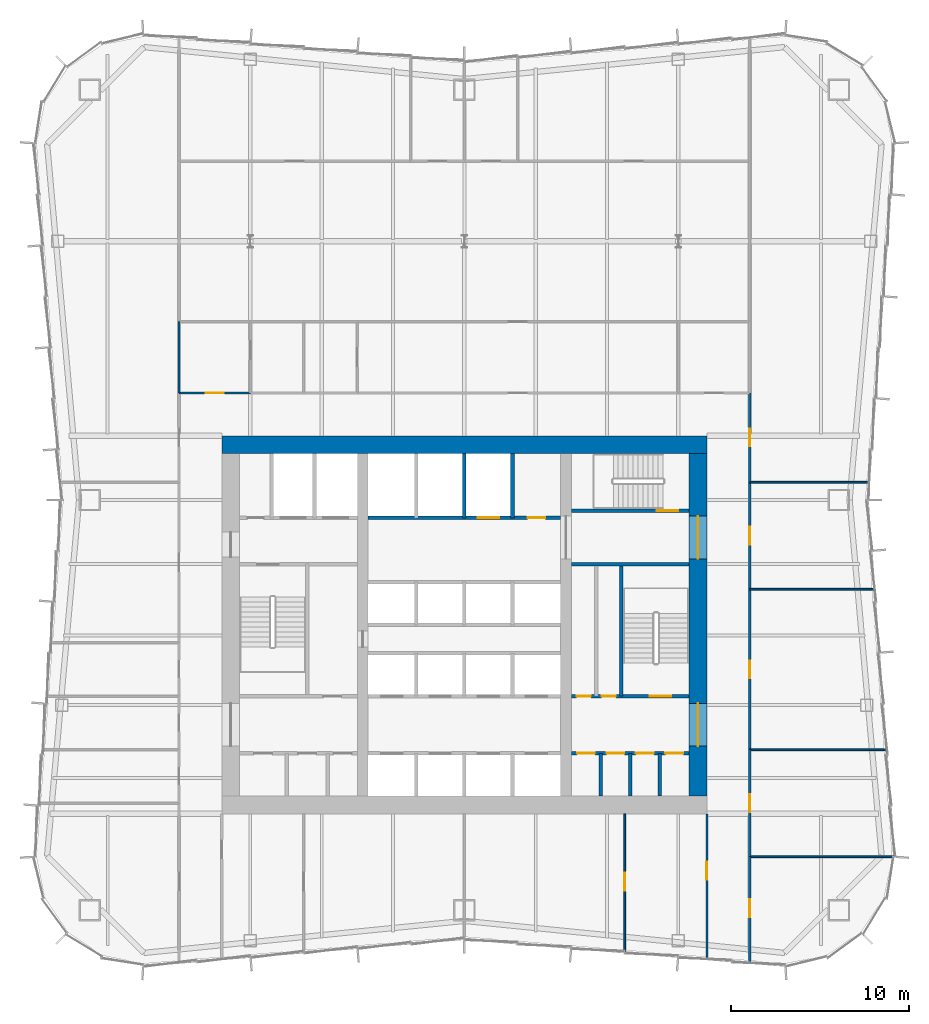
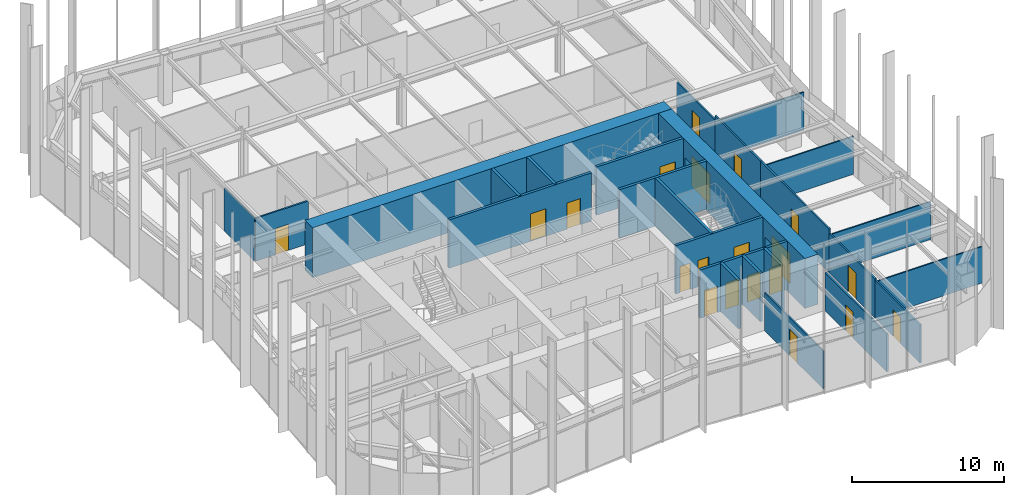
# One storey, part 11 of 13: 26 walls, 20 doors, 20 openings.
"""IFC4 building model written with IfcOpenShell, lengths in metres."""

from ifc_helpers import new_model, si_unit, direction, frame, frame_2d, origin, place, context, subcontext, project, spatial, rectangle, extrude, material, layer, layer_set, type_object, element, fill, save


model = new_model("IFC4")

# Units and contexts
model_context = context("Model", 3, precision=1e-05, world=origin(), true_north=direction((0.0, 1.0)))
body_context = subcontext(model_context, "Body", "Model", "MODEL_VIEW")
ifc_project = project(units=[si_unit("LENGTHUNIT", "METRE"), si_unit("AREAUNIT", "SQUARE_METRE"), si_unit("VOLUMEUNIT", "CUBIC_METRE"), si_unit("PLANEANGLEUNIT", "RADIAN"), si_unit("MASSUNIT", "GRAM", prefix="KILO")], contexts=[model_context])

# Site, building, storey
site_placement = place(None, origin())
site = spatial("IfcSite", under=ifc_project, at=site_placement, CompositionType="ELEMENT")
building_placement = place(site_placement, origin())
building = spatial("IfcBuilding", under=site, at=building_placement, Name="Verdant Reach Tower", CompositionType="ELEMENT")
storey_placement = place(building_placement, frame((0.0, 0.0, 126.0)))
storey = spatial("IfcBuildingStorey", under=building, at=storey_placement, Name="L28", CompositionType="ELEMENT", Elevation=126.0)

# Wall, openings, doors
ifc_material_1 = material(Name="Gypsum board on steel studs", Category="steel")
ifc_layer_1 = layer(ifc_material_1, 0.199951171875)
ifc_layer_set_1 = layer_set([ifc_layer_1], Name="CO-WALL-ROOM")
wall_type_1 = type_object("IfcWallType", Name="CO-WALL-ROOM", PredefinedType="PARTITIONING", material=ifc_layer_set_1)
wall_1_placement = place(storey_placement, frame((6.0, 20.800048828125, 0.0), z_axis=(0.0, 0.0, 1.0), x_axis=(1.0, 0.0, 0.0)))
wall_1 = element("IfcWall", 1, at=wall_1_placement, inside=storey, type_object=wall_type_1, Name="Core partition, L28", PredefinedType="PARTITIONING", context=body_context, shape_type="SweptSolid", body=[
    extrude(rectangle(XDim=6.60009765625, YDim=0.199951171875, at=frame_2d((3.300048828125, 0.0))), origin(), (0.0, 0.0, 1.0), 3.8701171875),
])
opening_1_placement = place(wall_1_placement, frame((0.324951171875, 0.0, 0.0)))
opening_1 = element("IfcOpeningElement", 2, at=opening_1_placement, cuts=wall_1, Name="Opening CD", PredefinedType="OPENING", context=body_context, shape_type="SweptSolid", body=[
    extrude(rectangle(XDim=1.0, YDim=2.10009765625, at=frame_2d((0.5, 1.050048828125))), frame((0.0, 0.10986328125, 0.0), z_axis=(0.0, -1.0, 0.0), x_axis=(1.0, 0.0, 0.0)), (0.0, 0.0, 1.0), 0.219970703125),
])
opening_2_placement = place(wall_1_placement, frame((1.97509765625, 0.0, 0.0)))
opening_2 = element("IfcOpeningElement", 3, at=opening_2_placement, cuts=wall_1, Name="Opening CD", PredefinedType="OPENING", context=body_context, shape_type="SweptSolid", body=[
    extrude(rectangle(XDim=1.0, YDim=2.10009765625, at=frame_2d((0.5, 1.050048828125))), frame((0.0, 0.10986328125, 0.0), z_axis=(0.0, -1.0, 0.0), x_axis=(1.0, 0.0, 0.0)), (0.0, 0.0, 1.0), 0.219970703125),
])
opening_3_placement = place(wall_1_placement, frame((3.625, 0.0, 0.0)))
opening_3 = element("IfcOpeningElement", 4, at=opening_3_placement, cuts=wall_1, Name="Opening CD", PredefinedType="OPENING", context=body_context, shape_type="SweptSolid", body=[
    extrude(rectangle(XDim=1.0, YDim=2.10009765625, at=frame_2d((0.5, 1.050048828125))), frame((0.0, 0.10986328125, 0.0), z_axis=(0.0, -1.0, 0.0), x_axis=(1.0, 0.0, 0.0)), (0.0, 0.0, 1.0), 0.219970703125),
])
opening_4_placement = place(wall_1_placement, frame((5.27490234375, 0.0, 0.0)))
opening_4 = element("IfcOpeningElement", 5, at=opening_4_placement, cuts=wall_1, Name="Opening CD", PredefinedType="OPENING", context=body_context, shape_type="SweptSolid", body=[
    extrude(rectangle(XDim=1.0, YDim=2.10009765625, at=frame_2d((0.5, 1.050048828125))), frame((0.0, 0.10986328125, 0.0), z_axis=(0.0, -1.0, 0.0), x_axis=(1.0, 0.0, 0.0)), (0.0, 0.0, 1.0), 0.219970703125),
])
ifc_material_2 = material(Name="Timber", Category="wood")
door_type_1 = type_object("IfcDoorType", Name="CO-DOOR-ROOM", OperationType="NOTDEFINED", PredefinedType="DOOR", material=ifc_material_2)
door_1_placement = place(opening_1_placement, origin())
door_1 = element("IfcDoor", 6, at=door_1_placement, inside=storey, type_object=door_type_1, Name="Core room door, L28", OperationType="SINGLE_SWING_LEFT", OverallHeight=2.10009765625, OverallWidth=1.0, PredefinedType="DOOR", context=body_context, shape_type="SweptSolid", body=[
    extrude(rectangle(XDim=1.0, YDim=2.10009765625, at=frame_2d((0.5, 1.050048828125))), frame((0.0, 0.02490234375, 0.0), z_axis=(0.0, -1.0, 0.0), x_axis=(1.0, 0.0, 0.0)), (0.0, 0.0, 1.0), 0.050048828125),
])
fill(opening_1, door_1)
door_2_placement = place(opening_2_placement, origin())
door_2 = element("IfcDoor", 7, at=door_2_placement, inside=storey, type_object=door_type_1, Name="Core room door, L28", OperationType="SINGLE_SWING_LEFT", OverallHeight=2.10009765625, OverallWidth=1.0, PredefinedType="DOOR", context=body_context, shape_type="SweptSolid", body=[
    extrude(rectangle(XDim=1.0, YDim=2.10009765625, at=frame_2d((0.5, 1.050048828125))), frame((0.0, 0.02490234375, 0.0), z_axis=(0.0, -1.0, 0.0), x_axis=(1.0, 0.0, 0.0)), (0.0, 0.0, 1.0), 0.050048828125),
])
fill(opening_2, door_2)
door_3_placement = place(opening_3_placement, origin())
door_3 = element("IfcDoor", 8, at=door_3_placement, inside=storey, type_object=door_type_1, Name="Core room door, L28", OperationType="SINGLE_SWING_RIGHT", OverallHeight=2.10009765625, OverallWidth=1.0, PredefinedType="DOOR", context=body_context, shape_type="SweptSolid", body=[
    extrude(rectangle(XDim=1.0, YDim=2.10009765625, at=frame_2d((0.5, 1.050048828125))), frame((0.0, 0.02490234375, 0.0), z_axis=(0.0, -1.0, 0.0), x_axis=(1.0, 0.0, 0.0)), (0.0, 0.0, 1.0), 0.050048828125),
])
fill(opening_3, door_3)
door_4_placement = place(opening_4_placement, origin())
door_4 = element("IfcDoor", 9, at=door_4_placement, inside=storey, type_object=door_type_1, Name="Core room door, L28", OperationType="SINGLE_SWING_RIGHT", OverallHeight=2.10009765625, OverallWidth=1.0, PredefinedType="DOOR", context=body_context, shape_type="SweptSolid", body=[
    extrude(rectangle(XDim=1.0, YDim=2.10009765625, at=frame_2d((0.5, 1.050048828125))), frame((0.0, 0.02490234375, 0.0), z_axis=(0.0, -1.0, 0.0), x_axis=(1.0, 0.0, 0.0)), (0.0, 0.0, 1.0), 0.050048828125),
])
fill(opening_4, door_4)

# Walls
for number, where, z_axis, x_axis, name in (
    (10, (7.64990234375, 18.39990234375, 0.0), (0.0, 0.0, 1.0), (0.0, 1.0, 0.0), "Core partition, L28"),
    (11, (9.300048828125, 18.39990234375, 0.0), (0.0, 0.0, 1.0), (0.0, 1.0, 0.0), "Core partition, L28"),
    (12, (10.949951171875, 18.39990234375, 0.0), (0.0, 0.0, 1.0), (0.0, 1.0, 0.0), "Core partition, L28"),
):
    element("IfcWall", number, at=place(storey_placement, frame(where, z_axis=z_axis, x_axis=x_axis)), inside=storey, type_object=wall_type_1, Name=name, PredefinedType="PARTITIONING", context=body_context, shape_type="SweptSolid", body=[
        extrude(rectangle(XDim=2.400146484375, YDim=0.199951171875, at=frame_2d((1.2001953125, 0.0))), origin(), (0.0, 0.0, 1.0), 3.8701171875),
    ])

# Wall, openings, doors
ifc_material_3 = material(Name="Concrete C40/50", Category="concrete")
ifc_layer_2 = layer(ifc_material_3, 0.199951171875)
ifc_layer_set_2 = layer_set([ifc_layer_2], Name="CO-WALL-SHAFT")
wall_type_2 = type_object("IfcWallType", Name="CO-WALL-SHAFT", PredefinedType="PARTITIONING", material=ifc_layer_set_2)
wall_2_placement = place(storey_placement, frame((-5.39990234375, 34.0, 0.0), z_axis=(0.0, 0.0, 1.0), x_axis=(1.0, 0.0, 0.0)))
wall_2 = element("IfcWall", 13, at=wall_2_placement, inside=storey, type_object=wall_type_2, Name="Lift shaft wall, L28", PredefinedType="PARTITIONING", context=body_context, shape_type="SweptSolid", body=[
    extrude(rectangle(XDim=10.7998046875, YDim=0.199951171875, at=frame_2d((5.39990234375, 0.0))), origin(), (0.0, 0.0, 1.0), 3.8701171875),
])
opening_5_placement = place(wall_2_placement, frame((6.14990234375, 0.0, 0.0)))
opening_5 = element("IfcOpeningElement", 14, at=opening_5_placement, cuts=wall_2, Name="Opening LD-SL1", PredefinedType="OPENING", context=body_context, shape_type="SweptSolid", body=[
    extrude(rectangle(XDim=1.199951171875, YDim=2.199951171875, at=frame_2d((0.60009765625, 1.10009765625))), frame((0.0, 0.10986328125, 0.0), z_axis=(0.0, -1.0, 0.0), x_axis=(1.0, 0.0, 0.0)), (0.0, 0.0, 1.0), 0.219970703125),
])
opening_6_placement = place(wall_2_placement, frame((8.949951171875, 0.0, 0.0)))
opening_6 = element("IfcOpeningElement", 15, at=opening_6_placement, cuts=wall_2, Name="Opening CD", PredefinedType="OPENING", context=body_context, shape_type="SweptSolid", body=[
    extrude(rectangle(XDim=1.0, YDim=2.10009765625, at=frame_2d((0.5, 1.050048828125))), frame((0.0, 0.10986328125, 0.0), z_axis=(0.0, -1.0, 0.0), x_axis=(1.0, 0.0, 0.0)), (0.0, 0.0, 1.0), 0.219970703125),
])
ifc_material_4 = material(Name="Stainless steel", Category="steel")
door_type_2 = type_object("IfcDoorType", Name="CO-DOOR-LANDING", OperationType="SLIDING_TO_LEFT", PredefinedType="DOOR", material=ifc_material_4)
door_5_placement = place(opening_5_placement, origin())
door_5 = element("IfcDoor", 16, at=door_5_placement, inside=storey, type_object=door_type_2, Name="Landing door SL1, L28", OperationType="SLIDING_TO_LEFT", OverallHeight=2.199951171875, OverallWidth=1.199951171875, PredefinedType="DOOR", context=body_context, shape_type="SweptSolid", body=[
    extrude(rectangle(XDim=1.199951171875, YDim=2.199951171875, at=frame_2d((0.60009765625, 1.10009765625))), frame((0.0, 0.02490234375, 0.0), z_axis=(0.0, -1.0, 0.0), x_axis=(1.0, 0.0, 0.0)), (0.0, 0.0, 1.0), 0.050048828125),
])
fill(opening_5, door_5)
door_6_placement = place(opening_6_placement, origin())
door_6 = element("IfcDoor", 17, at=door_6_placement, inside=storey, type_object=door_type_1, Name="Core room door, L28", OperationType="SINGLE_SWING_LEFT", OverallHeight=2.10009765625, OverallWidth=1.0, PredefinedType="DOOR", context=body_context, shape_type="SweptSolid", body=[
    extrude(rectangle(XDim=1.0, YDim=2.10009765625, at=frame_2d((0.5, 1.050048828125))), frame((0.0, 0.02490234375, 0.0), z_axis=(0.0, -1.0, 0.0), x_axis=(1.0, 0.0, 0.0)), (0.0, 0.0, 1.0), 0.050048828125),
])
fill(opening_6, door_6)

# Walls
for number, where, z_axis, x_axis, name in (
    (18, (0.0, 34.0, 0.0), (0.0, 0.0, 1.0), (0.0, 1.0, 0.0), "Lift shaft wall, L28"),
    (19, (2.699951171875, 34.0, 0.0), (0.0, 0.0, 1.0), (0.0, 1.0, 0.0), "Lift shaft wall, L28"),
):
    element("IfcWall", number, at=place(storey_placement, frame(where, z_axis=z_axis, x_axis=x_axis)), inside=storey, type_object=wall_type_2, Name=name, PredefinedType="PARTITIONING", context=body_context, shape_type="SweptSolid", body=[
        extrude(rectangle(XDim=3.60009765625, YDim=0.199951171875, at=frame_2d((1.800048828125, 0.0))), origin(), (0.0, 0.0, 1.0), 3.8701171875),
    ])

# Wall, openings, doors
ifc_layer_3 = layer(ifc_material_3, 0.199951171875)
ifc_layer_set_3 = layer_set([ifc_layer_3], Name="CO-WALL-STAIR")
wall_type_3 = type_object("IfcWallType", Name="CO-WALL-STAIR", PredefinedType="PARTITIONING", material=ifc_layer_set_3)
wall_3_placement = place(storey_placement, frame((6.0, 24.0, 0.0), z_axis=(0.0, 0.0, 1.0), x_axis=(1.0, 0.0, 0.0)))
wall_3 = element("IfcWall", 20, at=wall_3_placement, inside=storey, type_object=wall_type_3, Name="Stair enclosure wall, L28", PredefinedType="PARTITIONING", context=body_context, shape_type="SweptSolid", body=[
    extrude(rectangle(XDim=6.60009765625, YDim=0.199951171875, at=frame_2d((3.300048828125, 0.0))), origin(), (0.0, 0.0, 1.0), 3.8701171875),
])
opening_7_placement = place(wall_3_placement, frame((0.300048828125, 0.0, 0.0)))
opening_7 = element("IfcOpeningElement", 21, at=opening_7_placement, cuts=wall_3, Name="Opening CDN", PredefinedType="OPENING", context=body_context, shape_type="SweptSolid", body=[
    extrude(rectangle(XDim=0.800048828125, YDim=2.10009765625, at=frame_2d((0.39990234375, 1.050048828125))), frame((0.0, 0.10986328125, 0.0), z_axis=(0.0, -1.0, 0.0), x_axis=(1.0, 0.0, 0.0)), (0.0, 0.0, 1.0), 0.219970703125),
])
opening_8_placement = place(wall_3_placement, frame((1.699951171875, 0.0, 0.0)))
opening_8 = element("IfcOpeningElement", 22, at=opening_8_placement, cuts=wall_3, Name="Opening CDN", PredefinedType="OPENING", context=body_context, shape_type="SweptSolid", body=[
    extrude(rectangle(XDim=0.800048828125, YDim=2.10009765625, at=frame_2d((0.39990234375, 1.050048828125))), frame((0.0, 0.10986328125, 0.0), z_axis=(0.0, -1.0, 0.0), x_axis=(1.0, 0.0, 0.0)), (0.0, 0.0, 1.0), 0.219970703125),
])
opening_9_placement = place(wall_3_placement, frame((4.39990234375, 0.0, 0.0)))
opening_9 = element("IfcOpeningElement", 23, at=opening_9_placement, cuts=wall_3, Name="Opening SD", PredefinedType="OPENING", context=body_context, shape_type="SweptSolid", body=[
    extrude(rectangle(XDim=1.199951171875, YDim=2.199951171875, at=frame_2d((0.60009765625, 1.10009765625))), frame((0.0, 0.10986328125, 0.0), z_axis=(0.0, -1.0, 0.0), x_axis=(1.0, 0.0, 0.0)), (0.0, 0.0, 1.0), 0.219970703125),
])
door_type_3 = type_object("IfcDoorType", Name="CO-DOOR-ROOM-NARROW", OperationType="NOTDEFINED", PredefinedType="DOOR", material=ifc_material_2)
door_7_placement = place(opening_7_placement, origin())
door_7 = element("IfcDoor", 24, at=door_7_placement, inside=storey, type_object=door_type_3, Name="Core room door, L28", OperationType="SINGLE_SWING_LEFT", OverallHeight=2.10009765625, OverallWidth=0.800048828125, PredefinedType="DOOR", context=body_context, shape_type="SweptSolid", body=[
    extrude(rectangle(XDim=0.800048828125, YDim=2.10009765625, at=frame_2d((0.39990234375, 1.050048828125))), frame((0.0, 0.02490234375, 0.0), z_axis=(0.0, -1.0, 0.0), x_axis=(1.0, 0.0, 0.0)), (0.0, 0.0, 1.0), 0.050048828125),
])
fill(opening_7, door_7)
door_8_placement = place(opening_8_placement, origin())
door_8 = element("IfcDoor", 25, at=door_8_placement, inside=storey, type_object=door_type_3, Name="Core room door, L28", OperationType="SINGLE_SWING_RIGHT", OverallHeight=2.10009765625, OverallWidth=0.800048828125, PredefinedType="DOOR", context=body_context, shape_type="SweptSolid", body=[
    extrude(rectangle(XDim=0.800048828125, YDim=2.10009765625, at=frame_2d((0.39990234375, 1.050048828125))), frame((0.0, 0.02490234375, 0.0), z_axis=(0.0, -1.0, 0.0), x_axis=(1.0, 0.0, 0.0)), (0.0, 0.0, 1.0), 0.050048828125),
])
fill(opening_8, door_8)
ifc_material_5 = material(Name="Steel", Category="steel")
door_type_4 = type_object("IfcDoorType", Name="CO-DOOR-STAIR", OperationType="NOTDEFINED", PredefinedType="DOOR", material=ifc_material_5)
door_9_placement = place(opening_9_placement, origin())
door_9 = element("IfcDoor", 26, at=door_9_placement, inside=storey, type_object=door_type_4, Name="Stair door, L28", OperationType="SINGLE_SWING_LEFT", OverallHeight=2.199951171875, OverallWidth=1.199951171875, PredefinedType="DOOR", context=body_context, shape_type="SweptSolid", body=[
    extrude(rectangle(XDim=1.199951171875, YDim=2.199951171875, at=frame_2d((0.60009765625, 1.10009765625))), frame((0.0, 0.02490234375, 0.0), z_axis=(0.0, -1.0, 0.0), x_axis=(1.0, 0.0, 0.0)), (0.0, 0.0, 1.0), 0.050048828125),
])
fill(opening_9, door_9)

# Wall
wall_4_placement = place(storey_placement, frame((6.0, 31.39990234375, 0.0), z_axis=(0.0, 0.0, 1.0), x_axis=(1.0, 0.0, 0.0)))
element("IfcWall", 27, at=wall_4_placement, inside=storey, type_object=wall_type_3, Name="Stair enclosure wall, L28", PredefinedType="PARTITIONING", context=body_context, shape_type="SweptSolid", body=[
    extrude(rectangle(XDim=6.60009765625, YDim=0.199951171875, at=frame_2d((3.300048828125, 0.0))), origin(), (0.0, 0.0, 1.0), 3.8701171875),
])

# Wall, opening, door
wall_5_placement = place(storey_placement, frame((6.0, 34.39990234375, 0.0), z_axis=(0.0, 0.0, 1.0), x_axis=(1.0, 0.0, 0.0)))
wall_5 = element("IfcWall", 28, at=wall_5_placement, inside=storey, type_object=wall_type_3, Name="Stair enclosure wall, L28", PredefinedType="PARTITIONING", context=body_context, shape_type="SweptSolid", body=[
    extrude(rectangle(XDim=6.60009765625, YDim=0.199951171875, at=frame_2d((3.300048828125, 0.0))), origin(), (0.0, 0.0, 1.0), 3.8701171875),
])
opening_10_placement = place(wall_5_placement, frame((4.800048828125, 0.0, 0.0)))
opening_10 = element("IfcOpeningElement", 29, at=opening_10_placement, cuts=wall_5, Name="Opening SD", PredefinedType="OPENING", context=body_context, shape_type="SweptSolid", body=[
    extrude(rectangle(XDim=1.199951171875, YDim=2.199951171875, at=frame_2d((0.60009765625, 1.10009765625))), frame((0.0, 0.10986328125, 0.0), z_axis=(0.0, -1.0, 0.0), x_axis=(1.0, 0.0, 0.0)), (0.0, 0.0, 1.0), 0.219970703125),
])
door_10_placement = place(opening_10_placement, origin())
door_10 = element("IfcDoor", 30, at=door_10_placement, inside=storey, type_object=door_type_4, Name="Stair door, L28", OperationType="SINGLE_SWING_RIGHT", OverallHeight=2.199951171875, OverallWidth=1.199951171875, PredefinedType="DOOR", context=body_context, shape_type="SweptSolid", body=[
    extrude(rectangle(XDim=1.199951171875, YDim=2.199951171875, at=frame_2d((0.60009765625, 1.10009765625))), frame((0.0, 0.02490234375, 0.0), z_axis=(0.0, -1.0, 0.0), x_axis=(1.0, 0.0, 0.0)), (0.0, 0.0, 1.0), 0.050048828125),
])
fill(opening_10, door_10)

# Walls
wall_6_placement = place(storey_placement, frame((8.800048828125, 24.0, 0.0), z_axis=(0.0, 0.0, 1.0), x_axis=(0.0, 1.0, 0.0)))
element("IfcWall", 31, at=wall_6_placement, inside=storey, type_object=wall_type_3, Name="Stair enclosure wall, L28", PredefinedType="PARTITIONING", context=body_context, shape_type="SweptSolid", body=[
    extrude(rectangle(XDim=7.39990234375, YDim=0.199951171875, at=frame_2d((3.699951171875, 0.0))), origin(), (0.0, 0.0, 1.0), 3.8701171875),
])
ifc_layer_4 = layer(ifc_material_1, 0.10009765625)
ifc_layer_set_4 = layer_set([ifc_layer_4], Name="FL-W1 Partition 100")
wall_type_4 = type_object("IfcWallType", Name="FL-W1 Partition 100", PredefinedType="PARTITIONING", material=ifc_layer_set_4)
wall_7_placement = place(storey_placement, frame((-16.0, 41.0, 0.0), z_axis=(0.0, 0.0, 1.0), x_axis=(0.0, 1.0, 0.0)))
element("IfcWall", 32, at=wall_7_placement, inside=storey, type_object=wall_type_4, Name="Partition 28.24", PredefinedType="PARTITIONING", context=body_context, shape_type="SweptSolid", body=[
    extrude(rectangle(XDim=4.0, YDim=0.10009765625, at=frame_2d((2.0, 0.0))), origin(), (0.0, 0.0, 1.0), 3.43994140625),
])
wall_8_placement = place(storey_placement, frame((24.080078125, 15.0, 0.0), z_axis=(0.0, 0.0, 1.0), x_axis=(-1.0, 0.0, 0.0)))
element("IfcWall", 33, at=wall_8_placement, inside=storey, type_object=wall_type_4, Name="Partition 28.27", PredefinedType="PARTITIONING", context=body_context, shape_type="SweptSolid", body=[
    extrude(rectangle(XDim=8.080078125, YDim=0.10009765625, at=frame_2d((4.0400390625, 0.0))), origin(), (0.0, 0.0, 1.0), 2.929931640625),
])
wall_9_placement = place(storey_placement, frame((23.6298828125, 21.0, 0.0), z_axis=(0.0, 0.0, 1.0), x_axis=(-1.0, 0.0, 0.0)))
element("IfcWall", 34, at=wall_9_placement, inside=storey, type_object=wall_type_4, Name="Partition 28.28", PredefinedType="PARTITIONING", context=body_context, shape_type="SweptSolid", body=[
    extrude(rectangle(XDim=7.6298828125, YDim=0.10009765625, at=frame_2d((3.81494140625, 0.0))), origin(), (0.0, 0.0, 1.0), 3.0400390625),
])
wall_10_placement = place(storey_placement, frame((22.955078125, 30.0, 0.0), z_axis=(0.0, 0.0, 1.0), x_axis=(-1.0, 0.0, 0.0)))
element("IfcWall", 35, at=wall_10_placement, inside=storey, type_object=wall_type_4, Name="Partition 28.29", PredefinedType="PARTITIONING", context=body_context, shape_type="SweptSolid", body=[
    extrude(rectangle(XDim=6.955078125, YDim=0.10009765625, at=frame_2d((3.4775390625, 0.0))), origin(), (0.0, 0.0, 1.0), 3.0400390625),
])
wall_11_placement = place(storey_placement, frame((22.655029296875, 36.0, 0.0), z_axis=(0.0, 0.0, 1.0), x_axis=(-1.0, 0.0, 0.0)))
element("IfcWall", 36, at=wall_11_placement, inside=storey, type_object=wall_type_4, Name="Partition 28.30", PredefinedType="PARTITIONING", context=body_context, shape_type="SweptSolid", body=[
    extrude(rectangle(XDim=6.655029296875, YDim=0.10009765625, at=frame_2d((3.32763671875, 0.0))), origin(), (0.0, 0.0, 1.0), 3.0400390625),
])

# Wall, opening, door
wall_12_placement = place(storey_placement, frame((9.0, 9.669921875, 0.0), z_axis=(0.0, 0.0, 1.0), x_axis=(0.0, 1.0, 0.0)))
wall_12 = element("IfcWall", 37, at=wall_12_placement, inside=storey, type_object=wall_type_4, Name="Partition 28.36", PredefinedType="PARTITIONING", context=body_context, shape_type="SweptSolid", body=[
    extrude(rectangle(XDim=7.72998046875, YDim=0.10009765625, at=frame_2d((3.864990234375, 0.0))), origin(), (0.0, 0.0, 1.0), 3.0400390625),
])
opening_11_placement = place(wall_12_placement, frame((3.43017578125, 0.0, 0.0)))
opening_11 = element("IfcOpeningElement", 38, at=opening_11_placement, cuts=wall_12, Name="Opening D3", PredefinedType="OPENING", context=body_context, shape_type="SweptSolid", body=[
    extrude(rectangle(XDim=1.0, YDim=2.10009765625, at=frame_2d((0.5, 1.050048828125))), frame((0.0, 0.06005859375, 0.0), z_axis=(0.0, -1.0, 0.0), x_axis=(1.0, 0.0, 0.0)), (0.0, 0.0, 1.0), 0.1201171875),
])
ifc_material_6 = material(Name="Painted timber door leaf", Category="wood")
door_type_5 = type_object("IfcDoorType", Name="FL-D3 Door 1000x2100", OperationType="NOTDEFINED", PredefinedType="DOOR", material=ifc_material_6)
door_11_placement = place(opening_11_placement, origin())
door_11 = element("IfcDoor", 39, at=door_11_placement, inside=storey, type_object=door_type_5, Name="Door 28-018", OperationType="SINGLE_SWING_RIGHT", OverallHeight=2.10009765625, OverallWidth=1.0, PredefinedType="DOOR", context=body_context, shape_type="SweptSolid", body=[
    extrude(rectangle(XDim=1.0, YDim=2.10009765625, at=frame_2d((0.5, 1.050048828125))), frame((0.0, 0.02490234375, 0.0), z_axis=(0.0, -1.0, 0.0), x_axis=(1.0, 0.0, 0.0)), (0.0, 0.0, 1.0), 0.050048828125),
])
fill(opening_11, door_11)

ifc_material_7 = material(Name="Gypsum board on steel studs, fire rated", Category="steel")
ifc_layer_5 = layer(ifc_material_7, 0.125)
ifc_layer_set_5 = layer_set([ifc_layer_5], Name="FL-W2 Corridor wall 125")
wall_type_5 = type_object("IfcWallType", Name="FL-W2 Corridor wall 125", PredefinedType="PARTITIONING", material=ifc_layer_set_5)
wall_13_placement = place(storey_placement, frame((16.0, 15.0, 0.0), z_axis=(0.0, 0.0, 1.0), x_axis=(0.0, -1.0, 0.0)))
wall_13 = element("IfcWall", 40, at=wall_13_placement, inside=storey, type_object=wall_type_5, Name="Partition 28.07", PredefinedType="PARTITIONING", context=body_context, shape_type="SweptSolid", body=[
    extrude(rectangle(XDim=5.913330078125, YDim=0.125, at=frame_2d((2.95654296875, 0.0))), origin(), (0.0, 0.0, 1.0), 3.0400390625),
])
opening_12_placement = place(wall_13_placement, frame((2.3916015625, 0.0, 0.0)))
opening_12 = element("IfcOpeningElement", 41, at=opening_12_placement, cuts=wall_13, Name="Opening D2", PredefinedType="OPENING", context=body_context, shape_type="SweptSolid", body=[
    extrude(rectangle(XDim=1.0, YDim=2.10009765625, at=frame_2d((0.5, 1.050048828125))), frame((0.0, 0.072509765625, 0.0), z_axis=(0.0, -1.0, 0.0), x_axis=(1.0, 0.0, 0.0)), (0.0, 0.0, 1.0), 0.14501953125),
])
ifc_material_8 = material(Name="Timber door leaf, fire rated", Category="wood")
door_type_6 = type_object("IfcDoorType", Name="FL-D2 Entrance door 1000x2100 FD30", OperationType="NOTDEFINED", PredefinedType="DOOR", material=ifc_material_8)
door_12_placement = place(opening_12_placement, origin())
door_12 = element("IfcDoor", 42, at=door_12_placement, inside=storey, type_object=door_type_6, Name="Door 28-007", OperationType="SINGLE_SWING_LEFT", OverallHeight=2.10009765625, OverallWidth=1.0, PredefinedType="DOOR", context=body_context, shape_type="SweptSolid", body=[
    extrude(rectangle(XDim=1.0, YDim=2.10009765625, at=frame_2d((0.5, 1.050048828125))), frame((0.0, 0.02490234375, 0.0), z_axis=(0.0, -1.0, 0.0), x_axis=(1.0, 0.0, 0.0)), (0.0, 0.0, 1.0), 0.050048828125),
])
fill(opening_12, door_12)

wall_14_placement = place(storey_placement, frame((16.0, 21.0, 0.0), z_axis=(0.0, 0.0, 1.0), x_axis=(0.0, -1.0, 0.0)))
wall_14 = element("IfcWall", 43, at=wall_14_placement, inside=storey, type_object=wall_type_5, Name="Partition 28.08", PredefinedType="PARTITIONING", context=body_context, shape_type="SweptSolid", body=[
    extrude(rectangle(XDim=6.0, YDim=0.125, at=frame_2d((3.0, 0.0))), origin(), (0.0, 0.0, 1.0), 3.139892578125),
])
opening_13_placement = place(wall_14_placement, frame((2.5, 0.0, 0.0)))
opening_13 = element("IfcOpeningElement", 44, at=opening_13_placement, cuts=wall_14, Name="Opening D2", PredefinedType="OPENING", context=body_context, shape_type="SweptSolid", body=[
    extrude(rectangle(XDim=1.0, YDim=2.10009765625, at=frame_2d((0.5, 1.050048828125))), frame((0.0, 0.072509765625, 0.0), z_axis=(0.0, -1.0, 0.0), x_axis=(1.0, 0.0, 0.0)), (0.0, 0.0, 1.0), 0.14501953125),
])
door_13_placement = place(opening_13_placement, origin())
door_13 = element("IfcDoor", 45, at=door_13_placement, inside=storey, type_object=door_type_6, Name="Door 28-008", OperationType="SINGLE_SWING_RIGHT", OverallHeight=2.10009765625, OverallWidth=1.0, PredefinedType="DOOR", context=body_context, shape_type="SweptSolid", body=[
    extrude(rectangle(XDim=1.0, YDim=2.10009765625, at=frame_2d((0.5, 1.050048828125))), frame((0.0, 0.02490234375, 0.0), z_axis=(0.0, -1.0, 0.0), x_axis=(1.0, 0.0, 0.0)), (0.0, 0.0, 1.0), 0.050048828125),
])
fill(opening_13, door_13)

wall_15_placement = place(storey_placement, frame((16.0, 30.0, 0.0), z_axis=(0.0, 0.0, 1.0), x_axis=(0.0, -1.0, 0.0)))
wall_15 = element("IfcWall", 46, at=wall_15_placement, inside=storey, type_object=wall_type_5, Name="Partition 28.09", PredefinedType="PARTITIONING", context=body_context, shape_type="SweptSolid", body=[
    extrude(rectangle(XDim=9.0, YDim=0.125, at=frame_2d((4.5, 0.0))), origin(), (0.0, 0.0, 1.0), 3.47998046875),
])
opening_14_placement = place(wall_15_placement, frame((4.0, 0.0, 0.0)))
opening_14 = element("IfcOpeningElement", 47, at=opening_14_placement, cuts=wall_15, Name="Opening D2", PredefinedType="OPENING", context=body_context, shape_type="SweptSolid", body=[
    extrude(rectangle(XDim=1.0, YDim=2.10009765625, at=frame_2d((0.5, 1.050048828125))), frame((0.0, 0.072509765625, 0.0), z_axis=(0.0, -1.0, 0.0), x_axis=(1.0, 0.0, 0.0)), (0.0, 0.0, 1.0), 0.14501953125),
])
door_14_placement = place(opening_14_placement, origin())
door_14 = element("IfcDoor", 48, at=door_14_placement, inside=storey, type_object=door_type_6, Name="Door 28-009", OperationType="SINGLE_SWING_LEFT", OverallHeight=2.10009765625, OverallWidth=1.0, PredefinedType="DOOR", context=body_context, shape_type="SweptSolid", body=[
    extrude(rectangle(XDim=1.0, YDim=2.10009765625, at=frame_2d((0.5, 1.050048828125))), frame((0.0, 0.02490234375, 0.0), z_axis=(0.0, -1.0, 0.0), x_axis=(1.0, 0.0, 0.0)), (0.0, 0.0, 1.0), 0.050048828125),
])
fill(opening_14, door_14)

wall_16_placement = place(storey_placement, frame((16.0, 36.0, 0.0), z_axis=(0.0, 0.0, 1.0), x_axis=(0.0, -1.0, 0.0)))
wall_16 = element("IfcWall", 49, at=wall_16_placement, inside=storey, type_object=wall_type_5, Name="Partition 28.10", PredefinedType="PARTITIONING", context=body_context, shape_type="SweptSolid", body=[
    extrude(rectangle(XDim=6.0, YDim=0.125, at=frame_2d((3.0, 0.0))), origin(), (0.0, 0.0, 1.0), 3.47998046875),
])
opening_15_placement = place(wall_16_placement, frame((2.5, 0.0, 0.0)))
opening_15 = element("IfcOpeningElement", 50, at=opening_15_placement, cuts=wall_16, Name="Opening D2", PredefinedType="OPENING", context=body_context, shape_type="SweptSolid", body=[
    extrude(rectangle(XDim=1.0, YDim=2.10009765625, at=frame_2d((0.5, 1.050048828125))), frame((0.0, 0.072509765625, 0.0), z_axis=(0.0, -1.0, 0.0), x_axis=(1.0, 0.0, 0.0)), (0.0, 0.0, 1.0), 0.14501953125),
])
door_15_placement = place(opening_15_placement, origin())
door_15 = element("IfcDoor", 51, at=door_15_placement, inside=storey, type_object=door_type_6, Name="Door 28-010", OperationType="SINGLE_SWING_RIGHT", OverallHeight=2.10009765625, OverallWidth=1.0, PredefinedType="DOOR", context=body_context, shape_type="SweptSolid", body=[
    extrude(rectangle(XDim=1.0, YDim=2.10009765625, at=frame_2d((0.5, 1.050048828125))), frame((0.0, 0.02490234375, 0.0), z_axis=(0.0, -1.0, 0.0), x_axis=(1.0, 0.0, 0.0)), (0.0, 0.0, 1.0), 0.050048828125),
])
fill(opening_15, door_15)

wall_17_placement = place(storey_placement, frame((16.0, 41.00390625, 0.0), z_axis=(0.0, 0.0, 1.0), x_axis=(0.0, -1.0, 0.0)))
wall_17 = element("IfcWall", 52, at=wall_17_placement, inside=storey, type_object=wall_type_5, Name="Partition 28.11", PredefinedType="PARTITIONING", context=body_context, shape_type="SweptSolid", body=[
    extrude(rectangle(XDim=5.00390625, YDim=0.125, at=frame_2d((2.501953125, 0.0))), origin(), (0.0, 0.0, 1.0), 3.139892578125),
])
opening_16_placement = place(wall_17_placement, frame((2.001953125, 0.0, 0.0)))
opening_16 = element("IfcOpeningElement", 53, at=opening_16_placement, cuts=wall_17, Name="Opening D2", PredefinedType="OPENING", context=body_context, shape_type="SweptSolid", body=[
    extrude(rectangle(XDim=1.0, YDim=2.10009765625, at=frame_2d((0.5, 1.050048828125))), frame((0.0, 0.072509765625, 0.0), z_axis=(0.0, -1.0, 0.0), x_axis=(1.0, 0.0, 0.0)), (0.0, 0.0, 1.0), 0.14501953125),
])
door_16_placement = place(opening_16_placement, origin())
door_16 = element("IfcDoor", 54, at=door_16_placement, inside=storey, type_object=door_type_6, Name="Door 28-011", OperationType="SINGLE_SWING_LEFT", OverallHeight=2.10009765625, OverallWidth=1.0, PredefinedType="DOOR", context=body_context, shape_type="SweptSolid", body=[
    extrude(rectangle(XDim=1.0, YDim=2.10009765625, at=frame_2d((0.5, 1.050048828125))), frame((0.0, 0.02490234375, 0.0), z_axis=(0.0, -1.0, 0.0), x_axis=(1.0, 0.0, 0.0)), (0.0, 0.0, 1.0), 0.050048828125),
])
fill(opening_16, door_16)

wall_18_placement = place(storey_placement, frame((13.60009765625, 9.28662109375, 0.0), z_axis=(0.0, 0.0, 1.0), x_axis=(0.0, 1.0, 0.0)))
wall_18 = element("IfcWall", 55, at=wall_18_placement, inside=storey, type_object=wall_type_5, Name="Partition 28.13", PredefinedType="PARTITIONING", context=body_context, shape_type="SweptSolid", body=[
    extrude(rectangle(XDim=8.11328125, YDim=0.125, at=frame_2d((4.056640625, 0.0))), origin(), (0.0, 0.0, 1.0), 3.0400390625),
])
opening_17_placement = place(wall_18_placement, frame((4.421875, 0.0, 0.0)))
opening_17 = element("IfcOpeningElement", 56, at=opening_17_placement, cuts=wall_18, Name="Opening D2", PredefinedType="OPENING", context=body_context, shape_type="SweptSolid", body=[
    extrude(rectangle(XDim=1.0, YDim=2.10009765625, at=frame_2d((0.5, 1.050048828125))), frame((0.0, 0.072509765625, 0.0), z_axis=(0.0, -1.0, 0.0), x_axis=(1.0, 0.0, 0.0)), (0.0, 0.0, 1.0), 0.14501953125),
])
door_17_placement = place(opening_17_placement, origin())
door_17 = element("IfcDoor", 57, at=door_17_placement, inside=storey, type_object=door_type_6, Name="Door 28-013", OperationType="SINGLE_SWING_RIGHT", OverallHeight=2.10009765625, OverallWidth=1.0, PredefinedType="DOOR", context=body_context, shape_type="SweptSolid", body=[
    extrude(rectangle(XDim=1.0, YDim=2.10009765625, at=frame_2d((0.5, 1.050048828125))), frame((0.0, 0.02490234375, 0.0), z_axis=(0.0, -1.0, 0.0), x_axis=(1.0, 0.0, 0.0)), (0.0, 0.0, 1.0), 0.050048828125),
])
fill(opening_17, door_17)

wall_19_placement = place(storey_placement, frame((-16.0, 41.0, 0.0), z_axis=(0.0, 0.0, 1.0), x_axis=(1.0, 0.0, 0.0)))
wall_19 = element("IfcWall", 58, at=wall_19_placement, inside=storey, type_object=wall_type_5, Name="Partition 28.14", PredefinedType="PARTITIONING", context=body_context, shape_type="SweptSolid", body=[
    extrude(rectangle(XDim=4.0, YDim=0.125, at=frame_2d((2.0, 0.0))), origin(), (0.0, 0.0, 1.0), 3.43994140625),
])
opening_18_placement = place(wall_19_placement, frame((1.5, 0.0, 0.0)))
opening_18 = element("IfcOpeningElement", 59, at=opening_18_placement, cuts=wall_19, Name="Opening D2", PredefinedType="OPENING", context=body_context, shape_type="SweptSolid", body=[
    extrude(rectangle(XDim=1.0, YDim=2.10009765625, at=frame_2d((0.5, 1.050048828125))), frame((0.0, 0.072509765625, 0.0), z_axis=(0.0, -1.0, 0.0), x_axis=(1.0, 0.0, 0.0)), (0.0, 0.0, 1.0), 0.14501953125),
])
door_18_placement = place(opening_18_placement, origin())
door_18 = element("IfcDoor", 60, at=door_18_placement, inside=storey, type_object=door_type_6, Name="Door 28-014", OperationType="SINGLE_SWING_RIGHT", OverallHeight=2.10009765625, OverallWidth=1.0, PredefinedType="DOOR", context=body_context, shape_type="SweptSolid", body=[
    extrude(rectangle(XDim=1.0, YDim=2.10009765625, at=frame_2d((0.5, 1.050048828125))), frame((0.0, 0.02490234375, 0.0), z_axis=(0.0, -1.0, 0.0), x_axis=(1.0, 0.0, 0.0)), (0.0, 0.0, 1.0), 0.050048828125),
])
fill(opening_18, door_18)

# Wall
ifc_material_9 = material(Name="Concrete C70/85", Category="concrete")
ifc_layer_6 = layer(ifc_material_9, 1.0)
ifc_layer_set_6 = layer_set([ifc_layer_6], Name="ST-CORE-WALL-1000")
wall_type_6 = type_object("IfcWallType", Name="ST-CORE-WALL-1000", PredefinedType="SHEAR", material=ifc_layer_set_6)
wall_20_placement = place(storey_placement, frame((-13.60009765625, 38.10009765625, -0.1298828125), z_axis=(0.0, 0.0, 1.0), x_axis=(1.0, 0.0, 0.0)))
element("IfcWall", 61, at=wall_20_placement, inside=storey, type_object=wall_type_6, Name="Core wall N, L28", PredefinedType="SHEAR", context=body_context, shape_type="SweptSolid", body=[
    extrude(rectangle(XDim=27.2001953125, YDim=1.0, at=frame_2d((13.60009765625, 0.0))), origin(), (0.0, 0.0, 1.0), 4.0),
])

# Wall, openings, doors
wall_21_placement = place(storey_placement, frame((13.10009765625, 18.39990234375, -0.1298828125), z_axis=(0.0, 0.0, 1.0), x_axis=(0.0, 1.0, 0.0)))
wall_21 = element("IfcWall", 62, at=wall_21_placement, inside=storey, type_object=wall_type_6, Name="Core wall E, L28", PredefinedType="SHEAR", context=body_context, shape_type="SweptSolid", body=[
    extrude(rectangle(XDim=19.2001953125, YDim=1.0, at=frame_2d((9.60009765625, 0.0))), origin(), (0.0, 0.0, 1.0), 4.0),
])
opening_19_placement = place(wall_21_placement, frame((2.800048828125, 0.0, 0.1298828125)))
opening_19 = element("IfcOpeningElement", 63, at=opening_19_placement, cuts=wall_21, Name="Opening LB", PredefinedType="OPENING", context=body_context, shape_type="SweptSolid", body=[
    extrude(rectangle(XDim=2.39990234375, YDim=2.39990234375, at=frame_2d((1.199951171875, 1.199951171875))), frame((0.0, 0.510009765625, 0.0), z_axis=(0.0, -1.0, 0.0), x_axis=(1.0, 0.0, 0.0)), (0.0, 0.0, 1.0), 1.02001953125),
])
opening_20_placement = place(wall_21_placement, frame((13.300048828125, 0.0, 0.1298828125)))
opening_20 = element("IfcOpeningElement", 64, at=opening_20_placement, cuts=wall_21, Name="Opening LB", PredefinedType="OPENING", context=body_context, shape_type="SweptSolid", body=[
    extrude(rectangle(XDim=2.39990234375, YDim=2.39990234375, at=frame_2d((1.199951171875, 1.199951171875))), frame((0.0, 0.510009765625, 0.0), z_axis=(0.0, -1.0, 0.0), x_axis=(1.0, 0.0, 0.0)), (0.0, 0.0, 1.0), 1.02001953125),
])
ifc_material_10 = material(Name="Glass and steel", Category="steel")
door_type_7 = type_object("IfcDoorType", Name="CO-DOOR-LOBBY", OperationType="DOUBLE_DOOR_SINGLE_SWING", PredefinedType="DOOR", material=ifc_material_10)
door_19_placement = place(opening_19_placement, origin())
door_19 = element("IfcDoor", 65, at=door_19_placement, inside=storey, type_object=door_type_7, Name="Core entrance door, L28", OperationType="DOUBLE_DOOR_SINGLE_SWING", OverallHeight=2.39990234375, OverallWidth=2.39990234375, PredefinedType="DOOR", context=body_context, shape_type="SweptSolid", body=[
    extrude(rectangle(XDim=2.39990234375, YDim=2.39990234375, at=frame_2d((1.199951171875, 1.199951171875))), frame((0.0, 0.02490234375, 0.0), z_axis=(0.0, -1.0, 0.0), x_axis=(1.0, 0.0, 0.0)), (0.0, 0.0, 1.0), 0.050048828125),
])
fill(opening_19, door_19)
door_20_placement = place(opening_20_placement, origin())
door_20 = element("IfcDoor", 66, at=door_20_placement, inside=storey, type_object=door_type_7, Name="Core entrance door, L28", OperationType="DOUBLE_DOOR_SINGLE_SWING", OverallHeight=2.39990234375, OverallWidth=2.39990234375, PredefinedType="DOOR", context=body_context, shape_type="SweptSolid", body=[
    extrude(rectangle(XDim=2.39990234375, YDim=2.39990234375, at=frame_2d((1.199951171875, 1.199951171875))), frame((0.0, 0.02490234375, 0.0), z_axis=(0.0, -1.0, 0.0), x_axis=(1.0, 0.0, 0.0)), (0.0, 0.0, 1.0), 0.050048828125),
])
fill(opening_20, door_20)

save(model, "model.ifc")
